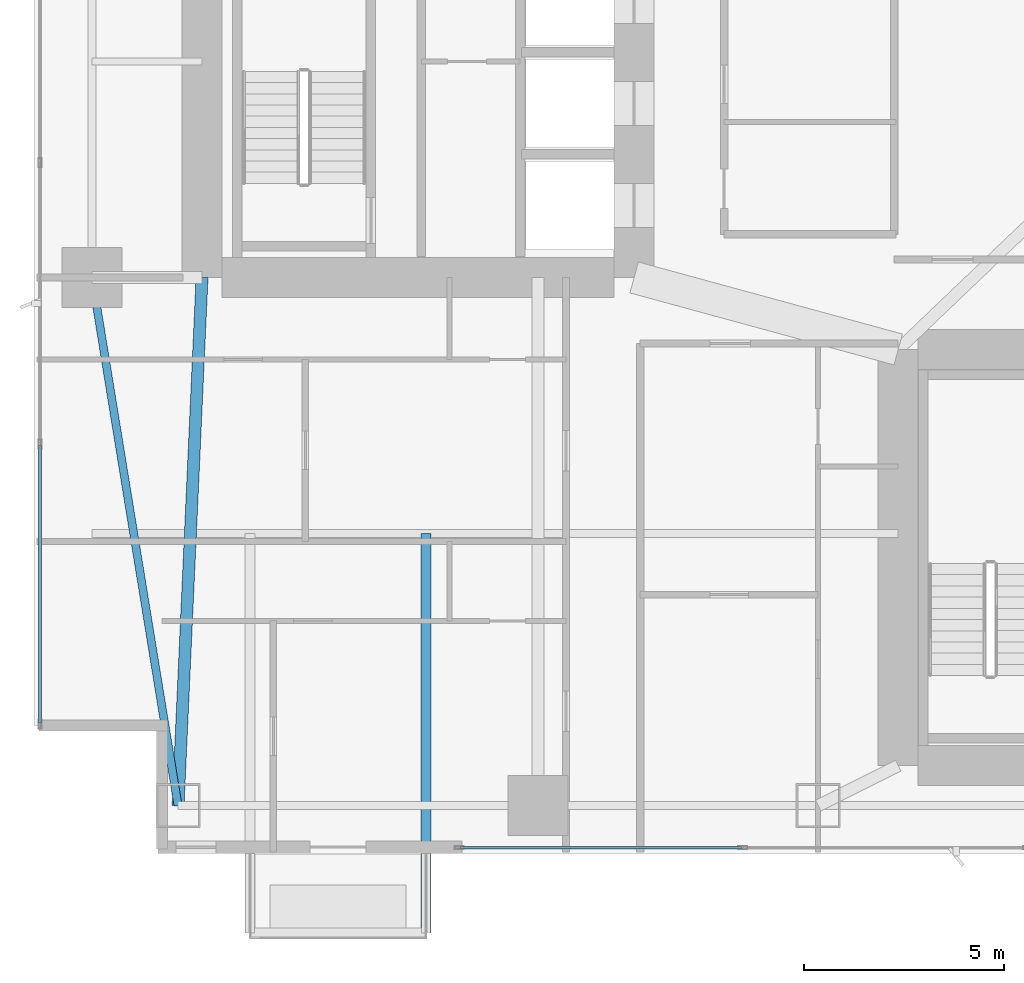
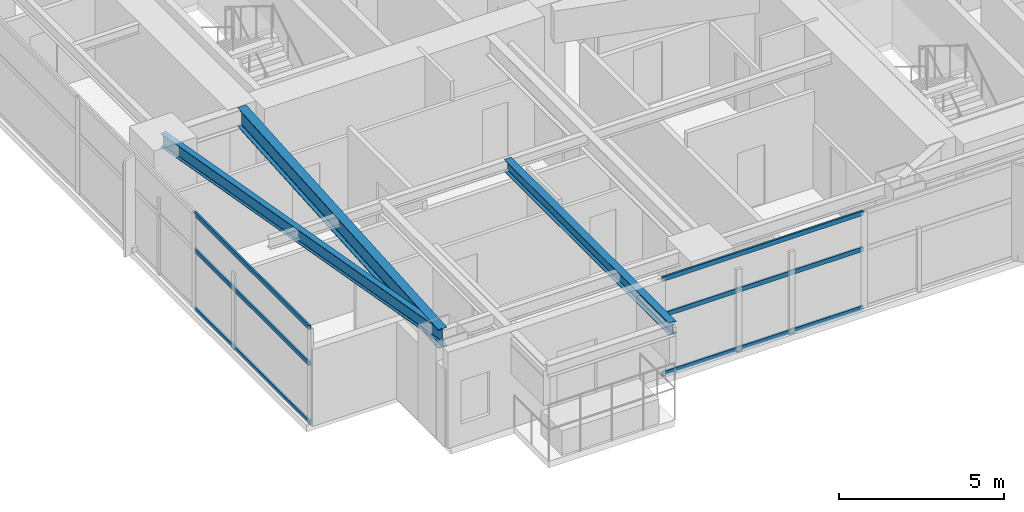
# One storey, part 3 of 30: 6 members, 3 beams, 2 elements without a shape of their own.
"""IFC4 building model written with IfcOpenShell, lengths in metres."""

from ifc_helpers import new_model, si_unit, direction, frame, origin, origin_2d, place, context, subcontext, project, spatial, hollow_rectangle, i_section, extrude, material, layer, layer_set, material_profile, profile_set, type_object, element, aggregate, save


model = new_model("IFC4")

# Units and contexts
model_context = context("Model", 3, precision=1e-05, world=origin(), true_north=direction((0.0, 1.0)))
body_context = subcontext(model_context, "Body", "Model", "MODEL_VIEW")
ifc_project = project(units=[si_unit("LENGTHUNIT", "METRE"), si_unit("AREAUNIT", "SQUARE_METRE"), si_unit("VOLUMEUNIT", "CUBIC_METRE"), si_unit("PLANEANGLEUNIT", "RADIAN"), si_unit("MASSUNIT", "GRAM", prefix="KILO")], contexts=[model_context])

# Site, building, storey
site_placement = place(None, origin())
site = spatial("IfcSite", under=ifc_project, at=site_placement, CompositionType="ELEMENT")
building_placement = place(site_placement, origin())
building = spatial("IfcBuilding", under=site, at=building_placement, Name="Calvorn Quay Hotel", CompositionType="ELEMENT")
storey_placement = place(building_placement, frame((0.0, 0.0, 73.60009765625)))
storey = spatial("IfcBuildingStorey", under=building, at=storey_placement, Name="L17", CompositionType="ELEMENT", Elevation=73.60009765625)

# Beams
ifc_material_1 = material(Name="Steel Q355B", Category="steel")
ifc_material_profile_1 = material_profile(ifc_material_1, i_section(OverallWidth=0.25, OverallDepth=0.449951171875, WebThickness=0.011962890625, FlangeThickness=0.01611328125, FilletRadius=0.01611328125, at=origin_2d()), Name="HN450x250x12x16")
ifc_profile_set_1 = profile_set([ifc_material_profile_1], Name="Steel Q355B")
beam_type_1 = type_object("IfcBeamType", Name="BM-CANT-BALC", PredefinedType="BEAM", material=ifc_profile_set_1)
beam_1_placement = place(storey_placement, frame((9.800048828125, 10.39990234375, 3.31494140625), z_axis=(0.0, -1.0, 0.0), x_axis=(1.0, 0.0, 0.0)))
element("IfcBeam", 1, at=beam_1_placement, inside=storey, type_object=beam_type_1, Name="Cantilever Balcony Beam BCB-L18-2B", PredefinedType="BEAM", context=body_context, shape_type="SweptSolid", body=[
    extrude(i_section(OverallWidth=0.25, OverallDepth=0.449951171875, WebThickness=0.011962890625, FlangeThickness=0.01611328125, FilletRadius=0.01611328125, at=origin_2d()), origin(), (0.0, 0.0, 1.0), 9.989990234375),
])
ifc_material_2 = material(Name="Steel Q390GJC", Category="steel")
ifc_material_profile_2 = material_profile(ifc_material_2, i_section(OverallWidth=0.300048828125, OverallDepth=0.699951171875, WebThickness=0.012939453125, FlangeThickness=0.02392578125, FilletRadius=0.02392578125, at=origin_2d()), Name="HN700x300x13x24")
ifc_profile_set_2 = profile_set([ifc_material_profile_2], Name="Steel Q390GJC")
beam_type_2 = type_object("IfcBeamType", Name="BM-GIRD-MAIN", PredefinedType="BEAM", material=ifc_profile_set_2)
beam_2_placement = place(storey_placement, frame((3.60009765625, 3.60009765625, 3.18994140625), z_axis=(0.045396765494, 0.998969035397, 0.0), x_axis=(-0.998969035397, 0.045396765494, 0.0)))
element("IfcBeam", 2, at=beam_2_placement, inside=storey, type_object=beam_type_2, Name="Beam BG-L17-W0", PredefinedType="BEAM", context=body_context, shape_type="SweptSolid", body=[
    extrude(i_section(OverallWidth=0.300048828125, OverallDepth=0.699951171875, WebThickness=0.012939453125, FlangeThickness=0.02392578125, FilletRadius=0.02392578125, at=origin_2d()), origin(), (0.0, 0.0, 1.0), 13.213623046875),
])
ifc_material_3 = material(Name="Steel Q355B", Category="steel")
ifc_material_profile_3 = material_profile(ifc_material_3, i_section(OverallWidth=0.199951171875, OverallDepth=0.5, WebThickness=0.010009765625, FlangeThickness=0.01611328125, FilletRadius=0.01611328125, at=origin_2d()), Name="HN500x200x10x16")
ifc_profile_set_3 = profile_set([ifc_material_profile_3], Name="Steel Q355B")
beam_type_3 = type_object("IfcBeamType", Name="BM-SPANDREL-Z1", PredefinedType="SPANDREL", material=ifc_profile_set_3)
beam_3_placement = place(storey_placement, frame((3.60009765625, 3.60009765625, 3.289794921875), z_axis=(-0.16077155054, 0.986991645627, 0.0), x_axis=(-0.986991645627, -0.16077155054, 0.0)))
element("IfcBeam", 3, at=beam_3_placement, inside=storey, type_object=beam_type_3, Name="Beam BSP-L17-W1", PredefinedType="SPANDREL", context=body_context, shape_type="SweptSolid", body=[
    extrude(i_section(OverallWidth=0.199951171875, OverallDepth=0.5, WebThickness=0.010009765625, FlangeThickness=0.01611328125, FilletRadius=0.01611328125, at=origin_2d()), origin(), (0.0, 0.0, 1.0), 13.3740234375),
])

# Curtain wall, members
ifc_material_4 = material(Name="Pale Anodised Aluminium and Low-E Glass", Category="aluminium")
ifc_layer = layer(ifc_material_4, 0.219970703125)
ifc_layer_set = layer_set([ifc_layer], Name="CW-SYS-Z1")
curtain_wall_type = type_object("IfcCurtainWallType", Name="CW-SYS-Z1", PredefinedType="NOTDEFINED", material=ifc_layer_set)
curtain_wall_1_placement = place(storey_placement, origin())
curtain_wall_1 = element("IfcCurtainWall", 4, at=curtain_wall_1_placement, inside=storey, type_object=curtain_wall_type, Name="Tower West Curtain Wall (L17)", PredefinedType="NOTDEFINED")
ifc_material_5 = material(Name="Pale Anodised Aluminium 6063-T6", Category="aluminium")
ifc_material_profile_4 = material_profile(ifc_material_5, hollow_rectangle(XDim=0.06494140625, YDim=0.1650390625, WallThickness=0.00341796875, at=origin_2d()), Name="ALU-T165x65x3.5")
ifc_profile_set_4 = profile_set([ifc_material_profile_4], Name="Pale Anodised Aluminium 6063-T6")
member_type = type_object("IfcMemberType", Name="CW-SYS-Z1-TRN", PredefinedType="USERDEFINED", material=ifc_profile_set_4)
member_1_placement = place(storey_placement, frame((0.14990234375, 5.659912109375, 0.02978515625), z_axis=(0.0, 1.0, 0.0), x_axis=(-1.0, 0.0, 0.0)))
member_1 = element("IfcMember", 5, at=member_1_placement, type_object=member_type, Name="CW-L17-W transom 1.1", ObjectType="TRANSOM", PredefinedType="USERDEFINED", context=body_context, shape_type="SweptSolid", body=[
    extrude(hollow_rectangle(XDim=0.06494140625, YDim=0.1650390625, WallThickness=0.00341796875, at=origin_2d()), origin(), (0.0, 0.0, 1.0), 6.943359375),
])
member_2_placement = place(storey_placement, frame((0.14990234375, 5.659912109375, 2.199951171875), z_axis=(0.0, 1.0, 0.0), x_axis=(-1.0, 0.0, 0.0)))
member_2 = element("IfcMember", 6, at=member_2_placement, type_object=member_type, Name="CW-L17-W transom 1.2", ObjectType="TRANSOM", PredefinedType="USERDEFINED", context=body_context, shape_type="SweptSolid", body=[
    extrude(hollow_rectangle(XDim=0.06494140625, YDim=0.1650390625, WallThickness=0.00341796875, at=origin_2d()), origin(), (0.0, 0.0, 1.0), 6.943359375),
])
member_3_placement = place(storey_placement, frame((0.14990234375, 5.659912109375, 3.52978515625), z_axis=(0.0, 1.0, 0.0), x_axis=(-1.0, 0.0, 0.0)))
member_3 = element("IfcMember", 7, at=member_3_placement, type_object=member_type, Name="CW-L17-W transom 1.3", ObjectType="TRANSOM", PredefinedType="USERDEFINED", context=body_context, shape_type="SweptSolid", body=[
    extrude(hollow_rectangle(XDim=0.06494140625, YDim=0.1650390625, WallThickness=0.00341796875, at=origin_2d()), origin(), (0.0, 0.0, 1.0), 6.943359375),
])
aggregate(curtain_wall_1, [member_1, member_2, member_3])

curtain_wall_2_placement = place(storey_placement, origin())
curtain_wall_2 = element("IfcCurtainWall", 8, at=curtain_wall_2_placement, inside=storey, type_object=curtain_wall_type, Name="Tower South Waterfront Curtain Wall (L17)", PredefinedType="NOTDEFINED")
member_4_placement = place(storey_placement, frame((10.659912109375, 2.550048828125, 0.02978515625), z_axis=(1.0, 0.0, 0.0), x_axis=(0.0, 1.0, 0.0)))
member_4 = element("IfcMember", 9, at=member_4_placement, type_object=member_type, Name="CW-L17-S transom 1.1", ObjectType="TRANSOM", PredefinedType="USERDEFINED", context=body_context, shape_type="SweptSolid", body=[
    extrude(hollow_rectangle(XDim=0.06494140625, YDim=0.1650390625, WallThickness=0.00341796875, at=origin_2d()), origin(), (0.0, 0.0, 1.0), 7.0244140625),
])
member_5_placement = place(storey_placement, frame((10.659912109375, 2.550048828125, 2.199951171875), z_axis=(1.0, 0.0, 0.0), x_axis=(0.0, 1.0, 0.0)))
member_5 = element("IfcMember", 10, at=member_5_placement, type_object=member_type, Name="CW-L17-S transom 1.2", ObjectType="TRANSOM", PredefinedType="USERDEFINED", context=body_context, shape_type="SweptSolid", body=[
    extrude(hollow_rectangle(XDim=0.06494140625, YDim=0.1650390625, WallThickness=0.00341796875, at=origin_2d()), origin(), (0.0, 0.0, 1.0), 7.0244140625),
])
member_6_placement = place(storey_placement, frame((10.659912109375, 2.550048828125, 3.52978515625), z_axis=(1.0, 0.0, 0.0), x_axis=(0.0, 1.0, 0.0)))
member_6 = element("IfcMember", 11, at=member_6_placement, type_object=member_type, Name="CW-L17-S transom 1.3", ObjectType="TRANSOM", PredefinedType="USERDEFINED", context=body_context, shape_type="SweptSolid", body=[
    extrude(hollow_rectangle(XDim=0.06494140625, YDim=0.1650390625, WallThickness=0.00341796875, at=origin_2d()), origin(), (0.0, 0.0, 1.0), 7.0244140625),
])
aggregate(curtain_wall_2, [member_4, member_5, member_6])

save(model, "model.ifc")
